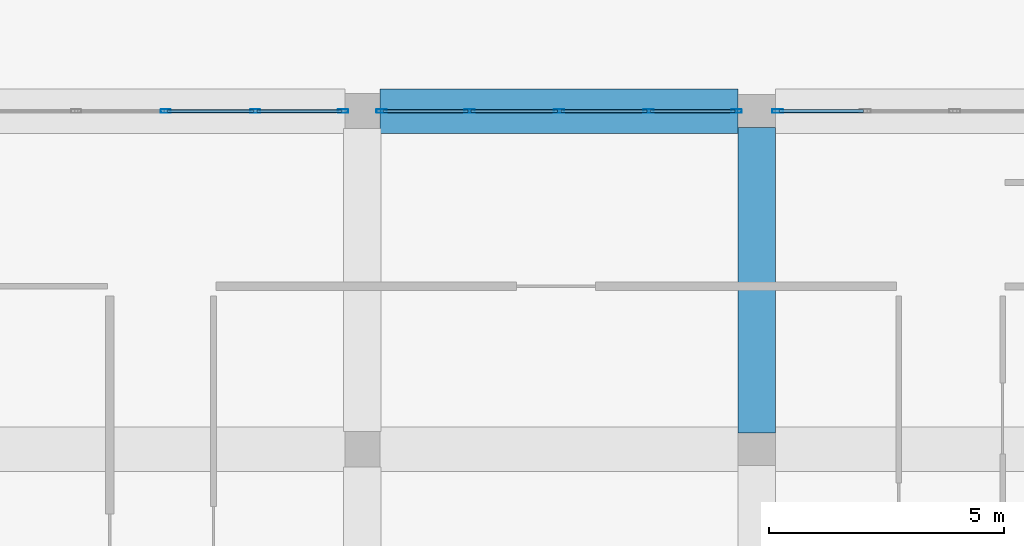
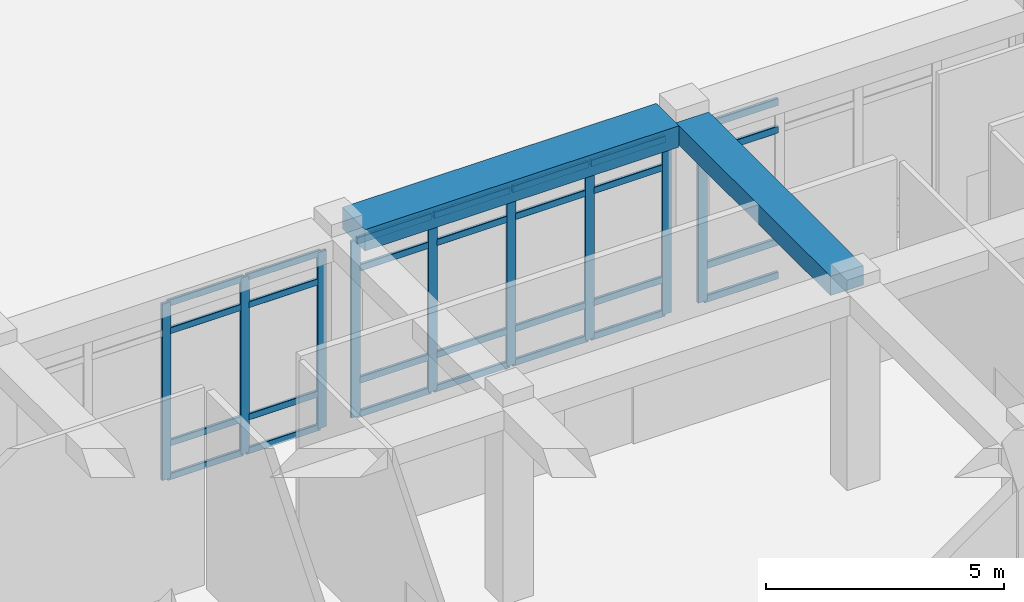
# One storey, part 23 of 84: 37 members, 2 beams, 3 elements without a shape of their own.
"""IFC4 building model written with IfcOpenShell, lengths in metres."""

import ifcopenshell
import ifcopenshell.guid

model = None  # the IFC model being written
_history = None  # IfcOwnerHistory: only IFC2X3 demands one
_inside = {}  # id of a spatial element -> (the spatial element, [elements in it])
_under = {}  # id of a project, library or spatial element -> (it, [spatial elements below it])
_declared = {}  # id of a project -> (the project, [libraries it declares])
_typed = {}  # id of a type object -> (the type object, [elements of that type])
_made_of = {}  # id of a material, layer set ... -> (it, [elements and type objects made of it])


def new_model(schema):
    """Start an empty IFC model of exactly this schema.

    Asked for "IFC4X3", IfcOpenShell would pick the latest addendum, in which some entities
    have other attributes; the version numbers below select the first issue.
    IFC2X3 requires an IfcOwnerHistory on every rooted entity: one is made here for all.
    """
    global model, _history
    if schema == "IFC4X3":
        model = ifcopenshell.file(schema_version=(4, 3, 0, 0))
    else:
        model = ifcopenshell.file(schema=schema)
    _inside.clear()
    _under.clear()
    _declared.clear()
    _typed.clear()
    _made_of.clear()
    _history = None
    if model.schema == "IFC2X3":
        org = make("IfcOrganization", Name="unknown")
        user = make(
            "IfcPersonAndOrganization",
            ThePerson=make("IfcPerson", FamilyName="unknown"),
            TheOrganization=org,
        )
        app = make(
            "IfcApplication",
            ApplicationDeveloper=org,
            Version="unknown",
            ApplicationFullName="unknown",
            ApplicationIdentifier="unknown",
        )
        _history = make(
            "IfcOwnerHistory",
            OwningUser=user,
            OwningApplication=app,
            ChangeAction="ADDED",
            CreationDate=0,
        )
    return model


def make(cls, **values):
    """One entity of the class cls with the attributes given. An attribute that is None is left unset."""
    return model.create_entity(
        cls, **{name: value for name, value in values.items() if value is not None}
    )


def rooted(cls, **values):
    """An entity with a GlobalId (a new one), such as an element, a storey or a relation."""
    return make(cls, GlobalId=ifcopenshell.guid.new(), OwnerHistory=_history, **values)


def si_unit(unit_type, name, prefix=None):
    """IfcSIUnit, for example si_unit("LENGTHUNIT", "METRE", prefix="MILLI")."""
    return make("IfcSIUnit", UnitType=unit_type, Prefix=prefix, Name=name)


def derived_unit(unit_type, elements):
    """IfcDerivedUnit: a product of units, each with its exponent."""
    return make(
        "IfcDerivedUnit",
        Elements=[
            make("IfcDerivedUnitElement", Unit=unit, Exponent=power)
            for unit, power in elements
        ],
        UnitType=unit_type,
    )


def assignment(units):
    """IfcUnitAssignment: the units of a project."""
    return None if units is None else make("IfcUnitAssignment", Units=units)


def point(xyz):
    """IfcCartesianPoint."""
    return None if xyz is None else make("IfcCartesianPoint", Coordinates=xyz)


def direction(xyz):
    """IfcDirection."""
    return None if xyz is None else make("IfcDirection", DirectionRatios=xyz)


def frame(location, z_axis=None, x_axis=None):
    """IfcAxis2Placement3D, a coordinate frame: its origin and axes. An axis left out is left unset."""
    return make(
        "IfcAxis2Placement3D",
        Location=point(location),
        Axis=direction(z_axis),
        RefDirection=direction(x_axis),
    )


def frame_2d(location, x_axis=None):
    """IfcAxis2Placement2D, a coordinate frame in the plane: its origin and x axis."""
    return make(
        "IfcAxis2Placement2D", Location=point(location), RefDirection=direction(x_axis)
    )


def origin():
    """The frame at (0, 0, 0) with its axes left unset."""
    return frame((0.0, 0.0, 0.0))


def origin_2d():
    """The frame at (0, 0) in the plane with its x axis left unset."""
    return frame_2d((0.0, 0.0))


def place(relative_to, where):
    """IfcLocalPlacement: puts the frame where relative to a parent placement (None: the world)."""
    return make(
        "IfcLocalPlacement", PlacementRelTo=relative_to, RelativePlacement=where
    )


def context(
    kind, dimensions, precision=None, world=None, true_north=None, identifier=None
):
    """IfcGeometricRepresentationContext, for example the 3D "Model" context."""
    return make(
        "IfcGeometricRepresentationContext",
        ContextIdentifier=identifier,
        ContextType=kind,
        CoordinateSpaceDimension=dimensions,
        Precision=precision,
        WorldCoordinateSystem=world,
        TrueNorth=true_north,
    )


def subcontext(parent, identifier, kind, view, scale=None):
    """IfcGeometricRepresentationSubContext, for example "Body" below "Model"."""
    return make(
        "IfcGeometricRepresentationSubContext",
        ContextIdentifier=identifier,
        ContextType=kind,
        ParentContext=parent,
        TargetScale=scale,
        TargetView=view,
    )


def project(units=None, contexts=None):
    """IfcProject with its units and contexts."""
    return rooted(
        "IfcProject",
        Name="project",
        RepresentationContexts=contexts,
        UnitsInContext=assignment(units),
    )


def spatial(cls, under=None, at=None, **own):
    """A site, building, storey or space (cls), placed at a placement, below another one or the project."""
    s = rooted(cls, ObjectPlacement=at, **own)
    if under is not None:
        _under.setdefault(under.id(), (under, []))[1].append(s)
    return s


def profile(cls, at=None, kind="AREA", **sizes):
    """A parametric profile (cls). Its sizes go by their IFC names, for example OverallWidth=200.0."""
    return make(cls, ProfileType=kind, Position=at, **sizes)


def rectangle(**sizes):
    """IfcRectangleProfileDef."""
    return profile("IfcRectangleProfileDef", **sizes)


def hollow_rectangle(**sizes):
    """IfcRectangleHollowProfileDef."""
    return profile("IfcRectangleHollowProfileDef", **sizes)


def extrude(swept, where, along, depth):
    """IfcExtrudedAreaSolid: the profile swept, set in the frame where, extruded along a direction by depth."""
    return make(
        "IfcExtrudedAreaSolid",
        SweptArea=swept,
        Position=where,
        ExtrudedDirection=direction(along),
        Depth=depth,
    )


def shape(context_of_items, identifier, shape_type, items):
    """IfcShapeRepresentation: the items that make up one representation, for example the "Body"."""
    return make(
        "IfcShapeRepresentation",
        ContextOfItems=context_of_items,
        RepresentationIdentifier=identifier,
        RepresentationType=shape_type,
        Items=items,
    )


def material(Name=None, Category=None):
    """IfcMaterial."""
    return make("IfcMaterial", Name=Name, Category=Category)


def material_profile(
    of_material, cross_section, Name=None, Category=None, Priority=None
):
    """IfcMaterialProfile: a cross section and its material."""
    return make(
        "IfcMaterialProfile",
        Name=Name,
        Material=of_material,
        Profile=cross_section,
        Priority=Priority,
        Category=Category,
    )


def profile_set(profiles, Name=None, composite=None):
    """IfcMaterialProfileSet."""
    return make(
        "IfcMaterialProfileSet",
        Name=Name,
        MaterialProfiles=profiles,
        CompositeProfile=composite,
    )


def made_of(thing, what):
    """Note that an element or type object is made of a material, layer set ...; save() writes the relation."""
    if what is not None:
        _made_of.setdefault(what.id(), (what, []))[1].append(thing)
    return thing


def type_object(cls, material=None, **own):
    """A type object (cls), such as IfcWallType, which elements share."""
    return made_of(rooted(cls, **own), material)


def element(
    cls,
    number,
    at=None,
    inside=None,
    cuts=None,
    type_object=None,
    material=None,
    context=None,
    identifier="Body",
    shape_type=None,
    held_by="IfcProductDefinitionShape",
    body=None,
    shapes=None,
    **own,
):
    """One element of the class cls, such as IfcWall. Its Tag is "e" and its number.

    at: its placement. inside: the storey or other place that contains it. cuts: it is an
    opening in that element (IfcRelVoidsElement). A single representation is given by context,
    identifier, shape_type and body (its items); several are given by shapes. held_by: the class
    of the entity that holds the representations. save() writes the other relations.
    """
    e = rooted(cls, Tag="e%d" % number, ObjectPlacement=at, **own)
    if body is not None:
        shapes = [shape(context, identifier, shape_type, body)]
    if shapes is not None:
        e.Representation = make(held_by, Representations=shapes)
    if inside is not None:
        _inside.setdefault(inside.id(), (inside, []))[1].append(e)
    if cuts is not None:
        rooted(
            "IfcRelVoidsElement", RelatingBuildingElement=cuts, RelatedOpeningElement=e
        )
    if type_object is not None:
        _typed.setdefault(type_object.id(), (type_object, []))[1].append(e)
    return made_of(e, material)


def aggregate(whole, parts):
    """IfcRelAggregates: a whole, such as a stair, and the parts it consists of."""
    return rooted("IfcRelAggregates", RelatingObject=whole, RelatedObjects=parts)


def save(model, path):
    """Write the relations noted so far, then the file.

    IfcRelAggregates (storeys below a building ...), IfcRelContainedInSpatialStructure (elements
    in a storey), IfcRelDefinesByType, IfcRelAssociatesMaterial and IfcRelDeclares: one each for
    every whole, place, type object, material and project.
    """
    for whole, parts in _under.values():
        aggregate(whole, parts)
    for where, things in _inside.values():
        rooted(
            "IfcRelContainedInSpatialStructure",
            RelatedElements=things,
            RelatingStructure=where,
        )
    for kind, things in _typed.values():
        rooted("IfcRelDefinesByType", RelatedObjects=things, RelatingType=kind)
    for what, things in _made_of.values():
        rooted("IfcRelAssociatesMaterial", RelatedObjects=things, RelatingMaterial=what)
    for by, libraries in _declared.values():
        rooted("IfcRelDeclares", RelatingContext=by, RelatedDefinitions=libraries)
    model.write(path)


model = new_model("IFC4")

# Units and contexts
model_context = context("Model", 3, precision=1e-05, world=origin(), true_north=direction((0.0, 1.0)))
body_context = subcontext(model_context, "Body", "Model", "MODEL_VIEW")
ifc_project = project(units=[si_unit("LENGTHUNIT", "METRE"), si_unit("AREAUNIT", "SQUARE_METRE"), si_unit("VOLUMEUNIT", "CUBIC_METRE"), si_unit("PLANEANGLEUNIT", "RADIAN"), si_unit("MASSUNIT", "GRAM", prefix="KILO"), derived_unit("THERMALTRANSMITTANCEUNIT", [(si_unit("POWERUNIT", "WATT"), 1), (si_unit("LENGTHUNIT", "METRE"), -2), (si_unit("THERMODYNAMICTEMPERATUREUNIT", "KELVIN"), -1)])], contexts=[model_context])

# Site, building, storey
site_placement = place(None, origin())
site = spatial("IfcSite", under=ifc_project, at=site_placement, CompositionType="ELEMENT")
building_placement = place(site_placement, origin())
building = spatial("IfcBuilding", under=site, at=building_placement, Name="Veybourne Emporium", CompositionType="ELEMENT")
storey_placement = place(building_placement, origin())
storey = spatial("IfcBuildingStorey", under=building, at=storey_placement, Name="L00", CompositionType="ELEMENT", Elevation=0.0)

# Curtain wall, members
ifc_material_1 = material(Name="Patinated Architectural Bronze", Category="bronze")
curtain_wall_type_1 = type_object("IfcCurtainWallType", Name="CWSystem_CWS-13", PredefinedType="NOTDEFINED", material=ifc_material_1)
curtain_wall_1_placement = place(storey_placement, origin())
curtain_wall_1 = element("IfcCurtainWall", 1, at=curtain_wall_1_placement, inside=storey, type_object=curtain_wall_type_1, Name="L00 bronze glazed curtain wall CWS-13 (064)", PredefinedType="NOTDEFINED")
ifc_material_profile_1 = material_profile(ifc_material_1, hollow_rectangle(XDim=0.072021484375, YDim=0.22509765625, WallThickness=0.0048828125, InnerFilletRadius=0.007568359375, OuterFilletRadius=0.012451171875, at=origin_2d()), Name="CWM 72x225x5")
ifc_profile_set_1 = profile_set([ifc_material_profile_1], Name="Patinated Architectural Bronze")
member_type_1 = type_object("IfcMemberType", Name="CWMullion_CW-M1", PredefinedType="MULLION", material=ifc_profile_set_1)
member_1_placement = place(storey_placement, frame((118.010986328125, 28.800048828125, 0.0), z_axis=(0.0, 0.0, 1.0), x_axis=(0.0, 1.0, 0.0)))
member_1 = element("IfcMember", 2, at=member_1_placement, type_object=member_type_1, Name="CWS-13 mullion 1", PredefinedType="MULLION", context=body_context, shape_type="SweptSolid", body=[
    extrude(hollow_rectangle(XDim=0.072021484375, YDim=0.22509765625, WallThickness=0.0048828125, InnerFilletRadius=0.007568359375, OuterFilletRadius=0.012451171875, at=origin_2d()), origin(), (0.0, 0.0, 1.0), 4.530029296875),
])
member_2_placement = place(storey_placement, frame((119.88134765625, 28.800048828125, 0.0), z_axis=(0.0, 0.0, 1.0), x_axis=(0.0, 1.0, 0.0)))
member_2 = element("IfcMember", 3, at=member_2_placement, type_object=member_type_1, Name="CWS-13 mullion 2", PredefinedType="MULLION", context=body_context, shape_type="SweptSolid", body=[
    extrude(hollow_rectangle(XDim=0.072021484375, YDim=0.22509765625, WallThickness=0.0048828125, InnerFilletRadius=0.007568359375, OuterFilletRadius=0.012451171875, at=origin_2d()), origin(), (0.0, 0.0, 1.0), 4.530029296875),
])
member_3_placement = place(storey_placement, frame((121.78759765625, 28.800048828125, 0.0), z_axis=(0.0, 0.0, 1.0), x_axis=(0.0, 1.0, 0.0)))
member_3 = element("IfcMember", 4, at=member_3_placement, type_object=member_type_1, Name="CWS-13 mullion 3", PredefinedType="MULLION", context=body_context, shape_type="SweptSolid", body=[
    extrude(hollow_rectangle(XDim=0.072021484375, YDim=0.22509765625, WallThickness=0.0048828125, InnerFilletRadius=0.007568359375, OuterFilletRadius=0.012451171875, at=origin_2d()), origin(), (0.0, 0.0, 1.0), 4.530029296875),
])
member_4_placement = place(storey_placement, frame((123.69384765625, 28.800048828125, 0.0), z_axis=(0.0, 0.0, 1.0), x_axis=(0.0, 1.0, 0.0)))
member_4 = element("IfcMember", 5, at=member_4_placement, type_object=member_type_1, Name="CWS-13 mullion 4", PredefinedType="MULLION", context=body_context, shape_type="SweptSolid", body=[
    extrude(hollow_rectangle(XDim=0.072021484375, YDim=0.22509765625, WallThickness=0.0048828125, InnerFilletRadius=0.007568359375, OuterFilletRadius=0.012451171875, at=origin_2d()), origin(), (0.0, 0.0, 1.0), 4.530029296875),
])
member_5_placement = place(storey_placement, frame((125.56396484375, 28.800048828125, 0.0), z_axis=(0.0, 0.0, 1.0), x_axis=(0.0, 1.0, 0.0)))
member_5 = element("IfcMember", 6, at=member_5_placement, type_object=member_type_1, Name="CWS-13 mullion 5", PredefinedType="MULLION", context=body_context, shape_type="SweptSolid", body=[
    extrude(hollow_rectangle(XDim=0.072021484375, YDim=0.22509765625, WallThickness=0.0048828125, InnerFilletRadius=0.007568359375, OuterFilletRadius=0.012451171875, at=origin_2d()), origin(), (0.0, 0.0, 1.0), 4.530029296875),
])

# Curtain wall, member
curtain_wall_type_2 = type_object("IfcCurtainWallType", Name="CWSystem_CWS-15", PredefinedType="NOTDEFINED", material=ifc_material_1)
curtain_wall_2_placement = place(storey_placement, origin())
curtain_wall_2 = element("IfcCurtainWall", 7, at=curtain_wall_2_placement, inside=storey, type_object=curtain_wall_type_2, Name="L00 bronze glazed curtain wall CWS-15 (066)", PredefinedType="NOTDEFINED")
ifc_material_profile_2 = material_profile(ifc_material_1, hollow_rectangle(XDim=0.077880859375, YDim=0.235107421875, WallThickness=0.0048828125, InnerFilletRadius=0.007568359375, OuterFilletRadius=0.012451171875, at=origin_2d()), Name="CWM 78x235x5")
ifc_profile_set_2 = profile_set([ifc_material_profile_2], Name="Patinated Architectural Bronze")
member_type_2 = type_object("IfcMemberType", Name="CWMullion_CW-M3", PredefinedType="MULLION", material=ifc_profile_set_2)
member_6_placement = place(storey_placement, frame((126.43896484375, 28.800048828125, 0.0), z_axis=(0.0, 0.0, 1.0), x_axis=(0.0, 1.0, 0.0)))
member_6 = element("IfcMember", 8, at=member_6_placement, type_object=member_type_2, Name="CWS-15 mullion 1", PredefinedType="MULLION", context=body_context, shape_type="SweptSolid", body=[
    extrude(hollow_rectangle(XDim=0.077880859375, YDim=0.235107421875, WallThickness=0.0048828125, InnerFilletRadius=0.007568359375, OuterFilletRadius=0.012451171875, at=origin_2d()), origin(), (0.0, 0.0, 1.0), 4.530029296875),
])

# Curtain wall, members
curtain_wall_type_3 = type_object("IfcCurtainWallType", Name="CWSystem_CWS-12", PredefinedType="NOTDEFINED", material=ifc_material_1)
curtain_wall_3_placement = place(storey_placement, origin())
curtain_wall_3 = element("IfcCurtainWall", 9, at=curtain_wall_3_placement, inside=storey, type_object=curtain_wall_type_3, Name="L00 bronze glazed curtain wall CWS-12 (058)", PredefinedType="NOTDEFINED")
ifc_material_profile_3 = material_profile(ifc_material_1, hollow_rectangle(XDim=0.070068359375, YDim=0.219970703125, WallThickness=0.0048828125, InnerFilletRadius=0.007568359375, OuterFilletRadius=0.012451171875, at=origin_2d()), Name="CWM 70x220x5")
ifc_profile_set_3 = profile_set([ifc_material_profile_3], Name="Patinated Architectural Bronze")
member_type_3 = type_object("IfcMemberType", Name="CWMullion_CW-M4", PredefinedType="MULLION", material=ifc_profile_set_3)
member_7_placement = place(storey_placement, frame((113.41259765625, 28.800048828125, 0.0), z_axis=(0.0, 0.0, 1.0), x_axis=(0.0, 1.0, 0.0)))
member_7 = element("IfcMember", 10, at=member_7_placement, type_object=member_type_3, Name="CWS-12 mullion 3", PredefinedType="MULLION", context=body_context, shape_type="SweptSolid", body=[
    extrude(hollow_rectangle(XDim=0.070068359375, YDim=0.219970703125, WallThickness=0.0048828125, InnerFilletRadius=0.007568359375, OuterFilletRadius=0.012451171875, at=origin_2d()), origin(), (0.0, 0.0, 1.0), 4.530029296875),
])
member_8_placement = place(storey_placement, frame((115.31884765625, 28.800048828125, 0.0), z_axis=(0.0, 0.0, 1.0), x_axis=(0.0, 1.0, 0.0)))
member_8 = element("IfcMember", 11, at=member_8_placement, type_object=member_type_3, Name="CWS-12 mullion 4", PredefinedType="MULLION", context=body_context, shape_type="SweptSolid", body=[
    extrude(hollow_rectangle(XDim=0.070068359375, YDim=0.219970703125, WallThickness=0.0048828125, InnerFilletRadius=0.007568359375, OuterFilletRadius=0.012451171875, at=origin_2d()), origin(), (0.0, 0.0, 1.0), 4.530029296875),
])
member_9_placement = place(storey_placement, frame((117.18994140625, 28.800048828125, 0.0), z_axis=(0.0, 0.0, 1.0), x_axis=(0.0, 1.0, 0.0)))
member_9 = element("IfcMember", 12, at=member_9_placement, type_object=member_type_3, Name="CWS-12 mullion 5", PredefinedType="MULLION", context=body_context, shape_type="SweptSolid", body=[
    extrude(hollow_rectangle(XDim=0.070068359375, YDim=0.219970703125, WallThickness=0.0048828125, InnerFilletRadius=0.007568359375, OuterFilletRadius=0.012451171875, at=origin_2d()), origin(), (0.0, 0.0, 1.0), 4.530029296875),
])

# Member
ifc_material_profile_4 = material_profile(ifc_material_1, hollow_rectangle(XDim=0.072021484375, YDim=0.175048828125, WallThickness=0.0048828125, InnerFilletRadius=0.007568359375, OuterFilletRadius=0.012451171875, at=origin_2d()), Name="CWT 72x175x5")
ifc_profile_set_4 = profile_set([ifc_material_profile_4], Name="Patinated Architectural Bronze")
member_type_4 = type_object("IfcMemberType", Name="CWTransom_CW-T1", PredefinedType="NOTDEFINED", material=ifc_profile_set_4)
member_10_placement = place(storey_placement, frame((118.047119140625, 28.800048828125, 0.035888671875), z_axis=(1.0, 0.0, 0.0), x_axis=(0.0, 1.0, 0.0)))
member_10 = element("IfcMember", 13, at=member_10_placement, type_object=member_type_4, Name="CWS-13 transom 1.1", ObjectType="TRANSOM", PredefinedType="USERDEFINED", context=body_context, shape_type="SweptSolid", body=[
    extrude(hollow_rectangle(XDim=0.072021484375, YDim=0.175048828125, WallThickness=0.0048828125, InnerFilletRadius=0.007568359375, OuterFilletRadius=0.012451171875, at=origin_2d()), origin(), (0.0, 0.0, 1.0), 1.798095703125),
])

member_11_placement = place(storey_placement, frame((118.047119140625, 28.800048828125, 0.89990234375), z_axis=(1.0, 0.0, 0.0), x_axis=(0.0, 1.0, 0.0)))
member_11 = element("IfcMember", 14, at=member_11_placement, type_object=member_type_4, Name="CWS-13 transom 1.2", ObjectType="TRANSOM", PredefinedType="USERDEFINED", context=body_context, shape_type="SweptSolid", body=[
    extrude(hollow_rectangle(XDim=0.072021484375, YDim=0.175048828125, WallThickness=0.0048828125, InnerFilletRadius=0.007568359375, OuterFilletRadius=0.012451171875, at=origin_2d()), origin(), (0.0, 0.0, 1.0), 1.798095703125),
])

member_12_placement = place(storey_placement, frame((118.047119140625, 28.800048828125, 3.780029296875), z_axis=(1.0, 0.0, 0.0), x_axis=(0.0, 1.0, 0.0)))
member_12 = element("IfcMember", 15, at=member_12_placement, type_object=member_type_4, Name="CWS-13 transom 1.3", ObjectType="TRANSOM", PredefinedType="USERDEFINED", context=body_context, shape_type="SweptSolid", body=[
    extrude(hollow_rectangle(XDim=0.072021484375, YDim=0.175048828125, WallThickness=0.0048828125, InnerFilletRadius=0.007568359375, OuterFilletRadius=0.012451171875, at=origin_2d()), origin(), (0.0, 0.0, 1.0), 1.798095703125),
])

member_13_placement = place(storey_placement, frame((118.047119140625, 28.800048828125, 4.493896484375), z_axis=(1.0, 0.0, 0.0), x_axis=(0.0, 1.0, 0.0)))
member_13 = element("IfcMember", 16, at=member_13_placement, type_object=member_type_4, Name="CWS-13 transom 1.4", ObjectType="TRANSOM", PredefinedType="USERDEFINED", context=body_context, shape_type="SweptSolid", body=[
    extrude(hollow_rectangle(XDim=0.072021484375, YDim=0.175048828125, WallThickness=0.0048828125, InnerFilletRadius=0.007568359375, OuterFilletRadius=0.012451171875, at=origin_2d()), origin(), (0.0, 0.0, 1.0), 1.798095703125),
])

member_14_placement = place(storey_placement, frame((119.917236328125, 28.800048828125, 0.035888671875), z_axis=(1.0, 0.0, 0.0), x_axis=(0.0, 1.0, 0.0)))
member_14 = element("IfcMember", 17, at=member_14_placement, type_object=member_type_4, Name="CWS-13 transom 2.1", ObjectType="TRANSOM", PredefinedType="USERDEFINED", context=body_context, shape_type="SweptSolid", body=[
    extrude(hollow_rectangle(XDim=0.072021484375, YDim=0.175048828125, WallThickness=0.0048828125, InnerFilletRadius=0.007568359375, OuterFilletRadius=0.012451171875, at=origin_2d()), origin(), (0.0, 0.0, 1.0), 1.834228515625),
])

member_15_placement = place(storey_placement, frame((119.917236328125, 28.800048828125, 0.89990234375), z_axis=(1.0, 0.0, 0.0), x_axis=(0.0, 1.0, 0.0)))
member_15 = element("IfcMember", 18, at=member_15_placement, type_object=member_type_4, Name="CWS-13 transom 2.2", ObjectType="TRANSOM", PredefinedType="USERDEFINED", context=body_context, shape_type="SweptSolid", body=[
    extrude(hollow_rectangle(XDim=0.072021484375, YDim=0.175048828125, WallThickness=0.0048828125, InnerFilletRadius=0.007568359375, OuterFilletRadius=0.012451171875, at=origin_2d()), origin(), (0.0, 0.0, 1.0), 1.834228515625),
])

member_16_placement = place(storey_placement, frame((119.917236328125, 28.800048828125, 3.780029296875), z_axis=(1.0, 0.0, 0.0), x_axis=(0.0, 1.0, 0.0)))
member_16 = element("IfcMember", 19, at=member_16_placement, type_object=member_type_4, Name="CWS-13 transom 2.3", ObjectType="TRANSOM", PredefinedType="USERDEFINED", context=body_context, shape_type="SweptSolid", body=[
    extrude(hollow_rectangle(XDim=0.072021484375, YDim=0.175048828125, WallThickness=0.0048828125, InnerFilletRadius=0.007568359375, OuterFilletRadius=0.012451171875, at=origin_2d()), origin(), (0.0, 0.0, 1.0), 1.834228515625),
])

member_17_placement = place(storey_placement, frame((119.917236328125, 28.800048828125, 4.493896484375), z_axis=(1.0, 0.0, 0.0), x_axis=(0.0, 1.0, 0.0)))
member_17 = element("IfcMember", 20, at=member_17_placement, type_object=member_type_4, Name="CWS-13 transom 2.4", ObjectType="TRANSOM", PredefinedType="USERDEFINED", context=body_context, shape_type="SweptSolid", body=[
    extrude(hollow_rectangle(XDim=0.072021484375, YDim=0.175048828125, WallThickness=0.0048828125, InnerFilletRadius=0.007568359375, OuterFilletRadius=0.012451171875, at=origin_2d()), origin(), (0.0, 0.0, 1.0), 1.834228515625),
])

member_18_placement = place(storey_placement, frame((121.823486328125, 28.800048828125, 0.035888671875), z_axis=(1.0, 0.0, 0.0), x_axis=(0.0, 1.0, 0.0)))
member_18 = element("IfcMember", 21, at=member_18_placement, type_object=member_type_4, Name="CWS-13 transom 3.1", ObjectType="TRANSOM", PredefinedType="USERDEFINED", context=body_context, shape_type="SweptSolid", body=[
    extrude(hollow_rectangle(XDim=0.072021484375, YDim=0.175048828125, WallThickness=0.0048828125, InnerFilletRadius=0.007568359375, OuterFilletRadius=0.012451171875, at=origin_2d()), origin(), (0.0, 0.0, 1.0), 1.834228515625),
])

member_19_placement = place(storey_placement, frame((121.823486328125, 28.800048828125, 0.89990234375), z_axis=(1.0, 0.0, 0.0), x_axis=(0.0, 1.0, 0.0)))
member_19 = element("IfcMember", 22, at=member_19_placement, type_object=member_type_4, Name="CWS-13 transom 3.2", ObjectType="TRANSOM", PredefinedType="USERDEFINED", context=body_context, shape_type="SweptSolid", body=[
    extrude(hollow_rectangle(XDim=0.072021484375, YDim=0.175048828125, WallThickness=0.0048828125, InnerFilletRadius=0.007568359375, OuterFilletRadius=0.012451171875, at=origin_2d()), origin(), (0.0, 0.0, 1.0), 1.834228515625),
])

member_20_placement = place(storey_placement, frame((121.823486328125, 28.800048828125, 3.780029296875), z_axis=(1.0, 0.0, 0.0), x_axis=(0.0, 1.0, 0.0)))
member_20 = element("IfcMember", 23, at=member_20_placement, type_object=member_type_4, Name="CWS-13 transom 3.3", ObjectType="TRANSOM", PredefinedType="USERDEFINED", context=body_context, shape_type="SweptSolid", body=[
    extrude(hollow_rectangle(XDim=0.072021484375, YDim=0.175048828125, WallThickness=0.0048828125, InnerFilletRadius=0.007568359375, OuterFilletRadius=0.012451171875, at=origin_2d()), origin(), (0.0, 0.0, 1.0), 1.834228515625),
])

member_21_placement = place(storey_placement, frame((121.823486328125, 28.800048828125, 4.493896484375), z_axis=(1.0, 0.0, 0.0), x_axis=(0.0, 1.0, 0.0)))
member_21 = element("IfcMember", 24, at=member_21_placement, type_object=member_type_4, Name="CWS-13 transom 3.4", ObjectType="TRANSOM", PredefinedType="USERDEFINED", context=body_context, shape_type="SweptSolid", body=[
    extrude(hollow_rectangle(XDim=0.072021484375, YDim=0.175048828125, WallThickness=0.0048828125, InnerFilletRadius=0.007568359375, OuterFilletRadius=0.012451171875, at=origin_2d()), origin(), (0.0, 0.0, 1.0), 1.834228515625),
])

member_22_placement = place(storey_placement, frame((123.729736328125, 28.800048828125, 0.035888671875), z_axis=(1.0, 0.0, 0.0), x_axis=(0.0, 1.0, 0.0)))
member_22 = element("IfcMember", 25, at=member_22_placement, type_object=member_type_4, Name="CWS-13 transom 4.1", ObjectType="TRANSOM", PredefinedType="USERDEFINED", context=body_context, shape_type="SweptSolid", body=[
    extrude(hollow_rectangle(XDim=0.072021484375, YDim=0.175048828125, WallThickness=0.0048828125, InnerFilletRadius=0.007568359375, OuterFilletRadius=0.012451171875, at=origin_2d()), origin(), (0.0, 0.0, 1.0), 1.79833984375),
])

member_23_placement = place(storey_placement, frame((123.729736328125, 28.800048828125, 0.89990234375), z_axis=(1.0, 0.0, 0.0), x_axis=(0.0, 1.0, 0.0)))
member_23 = element("IfcMember", 26, at=member_23_placement, type_object=member_type_4, Name="CWS-13 transom 4.2", ObjectType="TRANSOM", PredefinedType="USERDEFINED", context=body_context, shape_type="SweptSolid", body=[
    extrude(hollow_rectangle(XDim=0.072021484375, YDim=0.175048828125, WallThickness=0.0048828125, InnerFilletRadius=0.007568359375, OuterFilletRadius=0.012451171875, at=origin_2d()), origin(), (0.0, 0.0, 1.0), 1.79833984375),
])

member_24_placement = place(storey_placement, frame((123.729736328125, 28.800048828125, 3.780029296875), z_axis=(1.0, 0.0, 0.0), x_axis=(0.0, 1.0, 0.0)))
member_24 = element("IfcMember", 27, at=member_24_placement, type_object=member_type_4, Name="CWS-13 transom 4.3", ObjectType="TRANSOM", PredefinedType="USERDEFINED", context=body_context, shape_type="SweptSolid", body=[
    extrude(hollow_rectangle(XDim=0.072021484375, YDim=0.175048828125, WallThickness=0.0048828125, InnerFilletRadius=0.007568359375, OuterFilletRadius=0.012451171875, at=origin_2d()), origin(), (0.0, 0.0, 1.0), 1.79833984375),
])

member_25_placement = place(storey_placement, frame((123.729736328125, 28.800048828125, 4.493896484375), z_axis=(1.0, 0.0, 0.0), x_axis=(0.0, 1.0, 0.0)))
member_25 = element("IfcMember", 28, at=member_25_placement, type_object=member_type_4, Name="CWS-13 transom 4.4", ObjectType="TRANSOM", PredefinedType="USERDEFINED", context=body_context, shape_type="SweptSolid", body=[
    extrude(hollow_rectangle(XDim=0.072021484375, YDim=0.175048828125, WallThickness=0.0048828125, InnerFilletRadius=0.007568359375, OuterFilletRadius=0.012451171875, at=origin_2d()), origin(), (0.0, 0.0, 1.0), 1.79833984375),
])

aggregate(curtain_wall_1, [member_1, member_2, member_3, member_4, member_5, member_10, member_11, member_12, member_13, member_14, member_15, member_16, member_17, member_18, member_19, member_20, member_21, member_22, member_23, member_24, member_25])

ifc_material_profile_5 = material_profile(ifc_material_1, hollow_rectangle(XDim=0.077880859375, YDim=0.18505859375, WallThickness=0.0048828125, InnerFilletRadius=0.007568359375, OuterFilletRadius=0.012451171875, at=origin_2d()), Name="CWT 78x185x5")
ifc_profile_set_5 = profile_set([ifc_material_profile_5], Name="Patinated Architectural Bronze")
member_type_5 = type_object("IfcMemberType", Name="CWTransom_CW-T3", PredefinedType="NOTDEFINED", material=ifc_profile_set_5)
member_26_placement = place(storey_placement, frame((126.47802734375, 28.800048828125, 0.0390625), z_axis=(1.0, 0.0, 0.0), x_axis=(0.0, 1.0, 0.0)))
member_26 = element("IfcMember", 29, at=member_26_placement, type_object=member_type_5, Name="CWS-15 transom 1.1", ObjectType="TRANSOM", PredefinedType="USERDEFINED", context=body_context, shape_type="SweptSolid", body=[
    extrude(hollow_rectangle(XDim=0.077880859375, YDim=0.18505859375, WallThickness=0.0048828125, InnerFilletRadius=0.007568359375, OuterFilletRadius=0.012451171875, at=origin_2d()), origin(), (0.0, 0.0, 1.0), 1.789306640625),
])

member_27_placement = place(storey_placement, frame((126.47802734375, 28.800048828125, 0.89990234375), z_axis=(1.0, 0.0, 0.0), x_axis=(0.0, 1.0, 0.0)))
member_27 = element("IfcMember", 30, at=member_27_placement, type_object=member_type_5, Name="CWS-15 transom 1.2", ObjectType="TRANSOM", PredefinedType="USERDEFINED", context=body_context, shape_type="SweptSolid", body=[
    extrude(hollow_rectangle(XDim=0.077880859375, YDim=0.18505859375, WallThickness=0.0048828125, InnerFilletRadius=0.007568359375, OuterFilletRadius=0.012451171875, at=origin_2d()), origin(), (0.0, 0.0, 1.0), 1.789306640625),
])

member_28_placement = place(storey_placement, frame((126.47802734375, 28.800048828125, 3.780029296875), z_axis=(1.0, 0.0, 0.0), x_axis=(0.0, 1.0, 0.0)))
member_28 = element("IfcMember", 31, at=member_28_placement, type_object=member_type_5, Name="CWS-15 transom 1.3", ObjectType="TRANSOM", PredefinedType="USERDEFINED", context=body_context, shape_type="SweptSolid", body=[
    extrude(hollow_rectangle(XDim=0.077880859375, YDim=0.18505859375, WallThickness=0.0048828125, InnerFilletRadius=0.007568359375, OuterFilletRadius=0.012451171875, at=origin_2d()), origin(), (0.0, 0.0, 1.0), 1.789306640625),
])

member_29_placement = place(storey_placement, frame((126.47802734375, 28.800048828125, 4.490966796875), z_axis=(1.0, 0.0, 0.0), x_axis=(0.0, 1.0, 0.0)))
member_29 = element("IfcMember", 32, at=member_29_placement, type_object=member_type_5, Name="CWS-15 transom 1.4", ObjectType="TRANSOM", PredefinedType="USERDEFINED", context=body_context, shape_type="SweptSolid", body=[
    extrude(hollow_rectangle(XDim=0.077880859375, YDim=0.18505859375, WallThickness=0.0048828125, InnerFilletRadius=0.007568359375, OuterFilletRadius=0.012451171875, at=origin_2d()), origin(), (0.0, 0.0, 1.0), 1.789306640625),
])

aggregate(curtain_wall_2, [member_6, member_26, member_27, member_28, member_29])

ifc_material_profile_6 = material_profile(ifc_material_1, hollow_rectangle(XDim=0.070068359375, YDim=0.169921875, WallThickness=0.0048828125, InnerFilletRadius=0.007568359375, OuterFilletRadius=0.012451171875, at=origin_2d()), Name="CWT 70x170x5")
ifc_profile_set_6 = profile_set([ifc_material_profile_6], Name="Patinated Architectural Bronze")
member_type_6 = type_object("IfcMemberType", Name="CWTransom_CW-T4", PredefinedType="NOTDEFINED", material=ifc_profile_set_6)
member_30_placement = place(storey_placement, frame((113.447509765625, 28.800048828125, 0.034912109375), z_axis=(1.0, 0.0, 0.0), x_axis=(0.0, 1.0, 0.0)))
member_30 = element("IfcMember", 33, at=member_30_placement, type_object=member_type_6, Name="CWS-12 transom 3.1", ObjectType="TRANSOM", PredefinedType="USERDEFINED", context=body_context, shape_type="SweptSolid", body=[
    extrude(hollow_rectangle(XDim=0.070068359375, YDim=0.169921875, WallThickness=0.0048828125, InnerFilletRadius=0.007568359375, OuterFilletRadius=0.012451171875, at=origin_2d()), origin(), (0.0, 0.0, 1.0), 1.836181640625),
])

member_31_placement = place(storey_placement, frame((113.447509765625, 28.800048828125, 0.89990234375), z_axis=(1.0, 0.0, 0.0), x_axis=(0.0, 1.0, 0.0)))
member_31 = element("IfcMember", 34, at=member_31_placement, type_object=member_type_6, Name="CWS-12 transom 3.2", ObjectType="TRANSOM", PredefinedType="USERDEFINED", context=body_context, shape_type="SweptSolid", body=[
    extrude(hollow_rectangle(XDim=0.070068359375, YDim=0.169921875, WallThickness=0.0048828125, InnerFilletRadius=0.007568359375, OuterFilletRadius=0.012451171875, at=origin_2d()), origin(), (0.0, 0.0, 1.0), 1.836181640625),
])

member_32_placement = place(storey_placement, frame((113.447509765625, 28.800048828125, 3.780029296875), z_axis=(1.0, 0.0, 0.0), x_axis=(0.0, 1.0, 0.0)))
member_32 = element("IfcMember", 35, at=member_32_placement, type_object=member_type_6, Name="CWS-12 transom 3.3", ObjectType="TRANSOM", PredefinedType="USERDEFINED", context=body_context, shape_type="SweptSolid", body=[
    extrude(hollow_rectangle(XDim=0.070068359375, YDim=0.169921875, WallThickness=0.0048828125, InnerFilletRadius=0.007568359375, OuterFilletRadius=0.012451171875, at=origin_2d()), origin(), (0.0, 0.0, 1.0), 1.836181640625),
])

member_33_placement = place(storey_placement, frame((113.447509765625, 28.800048828125, 4.4951171875), z_axis=(1.0, 0.0, 0.0), x_axis=(0.0, 1.0, 0.0)))
member_33 = element("IfcMember", 36, at=member_33_placement, type_object=member_type_6, Name="CWS-12 transom 3.4", ObjectType="TRANSOM", PredefinedType="USERDEFINED", context=body_context, shape_type="SweptSolid", body=[
    extrude(hollow_rectangle(XDim=0.070068359375, YDim=0.169921875, WallThickness=0.0048828125, InnerFilletRadius=0.007568359375, OuterFilletRadius=0.012451171875, at=origin_2d()), origin(), (0.0, 0.0, 1.0), 1.836181640625),
])

member_34_placement = place(storey_placement, frame((115.353759765625, 28.800048828125, 0.034912109375), z_axis=(1.0, 0.0, 0.0), x_axis=(0.0, 1.0, 0.0)))
member_34 = element("IfcMember", 37, at=member_34_placement, type_object=member_type_6, Name="CWS-12 transom 4.1", ObjectType="TRANSOM", PredefinedType="USERDEFINED", context=body_context, shape_type="SweptSolid", body=[
    extrude(hollow_rectangle(XDim=0.070068359375, YDim=0.169921875, WallThickness=0.0048828125, InnerFilletRadius=0.007568359375, OuterFilletRadius=0.012451171875, at=origin_2d()), origin(), (0.0, 0.0, 1.0), 1.80126953125),
])

member_35_placement = place(storey_placement, frame((115.353759765625, 28.800048828125, 0.89990234375), z_axis=(1.0, 0.0, 0.0), x_axis=(0.0, 1.0, 0.0)))
member_35 = element("IfcMember", 38, at=member_35_placement, type_object=member_type_6, Name="CWS-12 transom 4.2", ObjectType="TRANSOM", PredefinedType="USERDEFINED", context=body_context, shape_type="SweptSolid", body=[
    extrude(hollow_rectangle(XDim=0.070068359375, YDim=0.169921875, WallThickness=0.0048828125, InnerFilletRadius=0.007568359375, OuterFilletRadius=0.012451171875, at=origin_2d()), origin(), (0.0, 0.0, 1.0), 1.80126953125),
])

member_36_placement = place(storey_placement, frame((115.353759765625, 28.800048828125, 3.780029296875), z_axis=(1.0, 0.0, 0.0), x_axis=(0.0, 1.0, 0.0)))
member_36 = element("IfcMember", 39, at=member_36_placement, type_object=member_type_6, Name="CWS-12 transom 4.3", ObjectType="TRANSOM", PredefinedType="USERDEFINED", context=body_context, shape_type="SweptSolid", body=[
    extrude(hollow_rectangle(XDim=0.070068359375, YDim=0.169921875, WallThickness=0.0048828125, InnerFilletRadius=0.007568359375, OuterFilletRadius=0.012451171875, at=origin_2d()), origin(), (0.0, 0.0, 1.0), 1.80126953125),
])

member_37_placement = place(storey_placement, frame((115.353759765625, 28.800048828125, 4.4951171875), z_axis=(1.0, 0.0, 0.0), x_axis=(0.0, 1.0, 0.0)))
member_37 = element("IfcMember", 40, at=member_37_placement, type_object=member_type_6, Name="CWS-12 transom 4.4", ObjectType="TRANSOM", PredefinedType="USERDEFINED", context=body_context, shape_type="SweptSolid", body=[
    extrude(hollow_rectangle(XDim=0.070068359375, YDim=0.169921875, WallThickness=0.0048828125, InnerFilletRadius=0.007568359375, OuterFilletRadius=0.012451171875, at=origin_2d()), origin(), (0.0, 0.0, 1.0), 1.80126953125),
])

aggregate(curtain_wall_3, [member_7, member_8, member_9, member_30, member_31, member_32, member_33, member_34, member_35, member_36, member_37])

# Beams
ifc_material_2 = material(Name="Concrete C32/40", Category="concrete")
ifc_material_profile_7 = material_profile(ifc_material_2, rectangle(XDim=0.800048828125, YDim=0.5, at=origin_2d()), Name="RC 800x500")
ifc_profile_set_7 = profile_set([ifc_material_profile_7], Name="Concrete C32/40")
beam_type_1 = type_object("IfcBeamType", Name="RCBeam_BB-02", PredefinedType="BEAM", material=ifc_profile_set_7)
beam_1_placement = place(storey_placement, frame((126.0, 21.949951171875, 4.830078125), z_axis=(0.0, 1.0, 0.0), x_axis=(-1.0, 0.0, 0.0)))
element("IfcBeam", 41, at=beam_1_placement, inside=storey, type_object=beam_type_1, Name="L00 Y-grid beam BB-02 (15,3)", PredefinedType="BEAM", context=body_context, shape_type="SweptSolid", body=[
    extrude(rectangle(XDim=0.800048828125, YDim=0.5, at=origin_2d()), origin(), (0.0, 0.0, 1.0), 6.5),
])
ifc_material_profile_8 = material_profile(ifc_material_2, rectangle(XDim=0.949951171875, YDim=0.550048828125, at=origin_2d()), Name="RC 950x550")
ifc_profile_set_8 = profile_set([ifc_material_profile_8], Name="Concrete C32/40")
beam_type_2 = type_object("IfcBeamType", Name="RCBeam_EB-01", PredefinedType="SPANDREL", material=ifc_profile_set_8)
beam_2_placement = place(storey_placement, frame((117.97509765625, 28.800048828125, 4.804931640625), z_axis=(1.0, 0.0, 0.0), x_axis=(0.0, 1.0, 0.0)))
element("IfcBeam", 42, at=beam_2_placement, inside=storey, type_object=beam_type_2, Name="L00 X-grid beam EB-01 (14,4)", PredefinedType="SPANDREL", context=body_context, shape_type="SweptSolid", body=[
    extrude(rectangle(XDim=0.949951171875, YDim=0.550048828125, at=origin_2d()), origin(), (0.0, 0.0, 1.0), 7.625),
])

save(model, "model.ifc")
